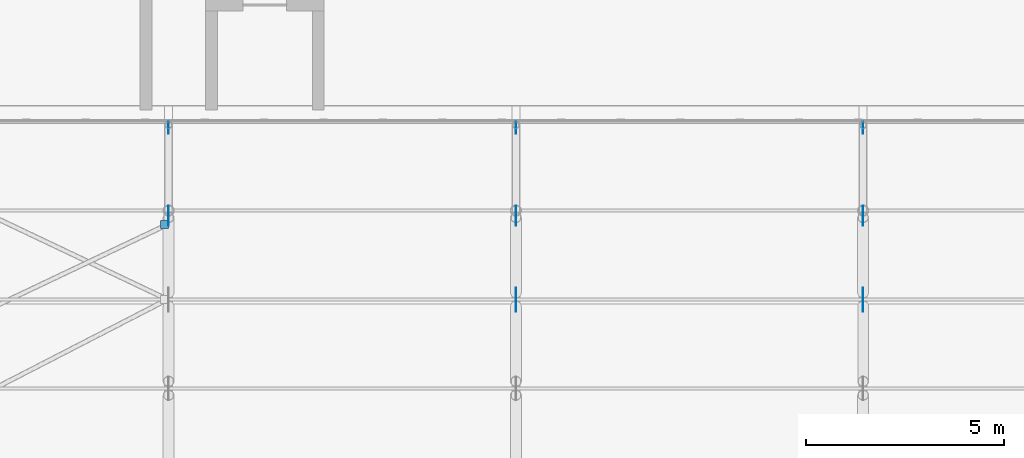
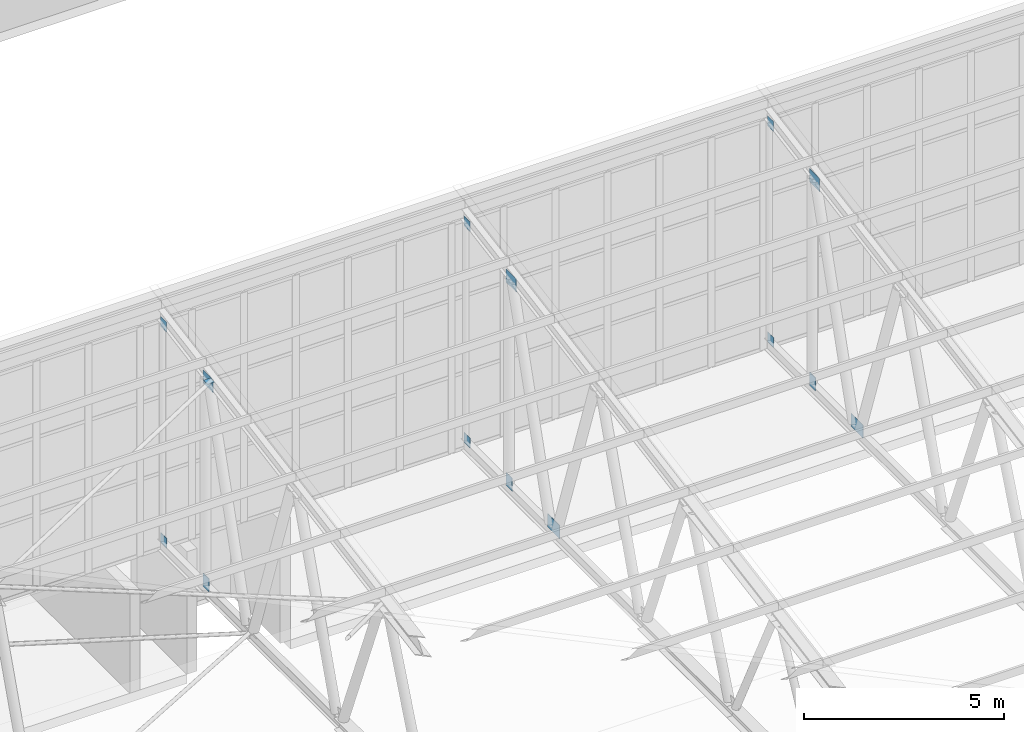
# One storey, part 152 of 185: 15 discrete accessories.
"""IFC4 building model written with IfcOpenShell, lengths in metres."""

from ifc_helpers import new_model, si_unit, direction, frame, origin, origin_2d, place, context, subcontext, project, spatial, rectangle, extrude, material, layer, layer_set, type_object, element, save


model = new_model("IFC4")

# Units and contexts
model_context = context("Model", 3, precision=1e-05, world=origin(), true_north=direction((0.0, 1.0)))
body_context = subcontext(model_context, "Body", "Model", "MODEL_VIEW")
ifc_project = project(units=[si_unit("LENGTHUNIT", "METRE"), si_unit("AREAUNIT", "SQUARE_METRE"), si_unit("VOLUMEUNIT", "CUBIC_METRE"), si_unit("PLANEANGLEUNIT", "RADIAN"), si_unit("MASSUNIT", "GRAM", prefix="KILO")], contexts=[model_context])

# Site, building, storey
site_placement = place(None, origin())
site = spatial("IfcSite", under=ifc_project, at=site_placement, CompositionType="ELEMENT")
building_placement = place(site_placement, origin())
building = spatial("IfcBuilding", under=site, at=building_placement, Name="Opaline Strait Convention Centre", CompositionType="ELEMENT")
storey_placement = place(building_placement, frame((0.0, 0.0, 6.0)))
storey = spatial("IfcBuildingStorey", under=building, at=storey_placement, Name="L01", CompositionType="ELEMENT", Elevation=6.0)

# Discrete accessories
ifc_material = material(Name="Steel Q355B", Category="steel")
ifc_layer_1 = layer(ifc_material, 0.014892578125)
ifc_layer_set_1 = layer_set([ifc_layer_1], Name="Steel Q355B")
discrete_accessory_type_1 = type_object("IfcDiscreteAccessoryType", Name="Brace gusset plate 200 x 200 x 15", PredefinedType="USERDEFINED", material=ifc_layer_set_1)
discrete_accessory_placement = place(storey_placement, frame((297.468017578125, 60.30615234375, 11.0654296875), z_axis=(0.0, 0.0, 1.0), x_axis=(1.0, 0.0, 0.0)))
element("IfcDiscreteAccessory", 1, at=discrete_accessory_placement, inside=storey, type_object=discrete_accessory_type_1, Name="BNP8 roof brace gusset plate end bay 1 top plane", ObjectType="NODE HUB", PredefinedType="USERDEFINED", context=body_context, shape_type="SweptSolid", body=[
    extrude(rectangle(XDim=0.199951171875, YDim=0.199951171875, at=origin_2d()), origin(), (0.0, 0.0, 1.0), 0.014892578125),
])
ifc_layer_2 = layer(ifc_material, 0.014892578125)
ifc_layer_set_2 = layer_set([ifc_layer_2], Name="Steel Q355B")
discrete_accessory_type_2 = type_object("IfcDiscreteAccessoryType", Name="Truss node plate 300 x 300 x 15", PredefinedType="USERDEFINED", material=ifc_layer_set_2)
for number, where, z_axis, x_axis, name in (
    (2, (297.5712890625, 62.7451171875, 4.544921875), (0.0, 0.0, 1.0), (1.0, 0.0, 0.0), "BNP5 truss node plate line 2 bottom node"),
    (3, (297.5712890625, 62.7451171875, 11.1552734375), (0.0, 0.0, 1.0), (1.0, 0.0, 0.0), "BNP5 truss node plate line 2 top node"),
    (4, (306.343017578125, 62.7451171875, 4.544921875), (0.0, 0.0, 1.0), (1.0, 0.0, 0.0), "BNP5 truss node plate line 3 bottom node"),
    (5, (306.343017578125, 62.7451171875, 11.1552734375), (0.0, 0.0, 1.0), (1.0, 0.0, 0.0), "BNP5 truss node plate line 3 top node"),
    (6, (315.1142578125, 62.7451171875, 4.544921875), (0.0, 0.0, 1.0), (1.0, 0.0, 0.0), "BNP5 truss node plate line 4 bottom node"),
    (7, (315.1142578125, 62.7451171875, 11.1552734375), (0.0, 0.0, 1.0), (1.0, 0.0, 0.0), "BNP5 truss node plate line 4 top node"),
):
    element("IfcDiscreteAccessory", number, at=place(storey_placement, frame(where, z_axis=z_axis, x_axis=x_axis)), inside=storey, type_object=discrete_accessory_type_2, Name=name, ObjectType="NODE HUB", PredefinedType="USERDEFINED", context=body_context, shape_type="SweptSolid", body=[
        extrude(rectangle(XDim=0.014892578125, YDim=0.300048828125, at=origin_2d()), origin(), (0.0, 0.0, 1.0), 0.300048828125),
    ])
ifc_layer_3 = layer(ifc_material, 0.014892578125)
ifc_layer_set_3 = layer_set([ifc_layer_3], Name="Steel Q355B")
discrete_accessory_type_3 = type_object("IfcDiscreteAccessoryType", Name="Truss node plate 300 x 400 x 15", PredefinedType="USERDEFINED", material=ifc_layer_set_3)
for number, where, z_axis, x_axis, name in (
    (8, (297.5712890625, 60.626220703125, 4.4951171875), (0.0, 0.0, 1.0), (1.0, 0.0, 0.0), "BNP4 truss node plate line 2 bottom node"),
    (9, (306.343017578125, 60.626220703125, 4.4951171875), (0.0, 0.0, 1.0), (1.0, 0.0, 0.0), "BNP4 truss node plate line 3 bottom node"),
    (10, (315.1142578125, 60.626220703125, 4.4951171875), (0.0, 0.0, 1.0), (1.0, 0.0, 0.0), "BNP4 truss node plate line 4 bottom node"),
):
    element("IfcDiscreteAccessory", number, at=place(storey_placement, frame(where, z_axis=z_axis, x_axis=x_axis)), inside=storey, type_object=discrete_accessory_type_3, Name=name, ObjectType="NODE HUB", PredefinedType="USERDEFINED", context=body_context, shape_type="SweptSolid", body=[
        extrude(rectangle(XDim=0.014892578125, YDim=0.300048828125, at=origin_2d()), origin(), (0.0, 0.0, 1.0), 0.39990234375),
    ])
ifc_layer_4 = layer(ifc_material, 0.014892578125)
ifc_layer_set_4 = layer_set([ifc_layer_4], Name="Steel Q355B")
discrete_accessory_type_4 = type_object("IfcDiscreteAccessoryType", Name="Truss node plate 500 x 400 x 15", PredefinedType="USERDEFINED", material=ifc_layer_set_4)
for number, where, z_axis, x_axis, name in (
    (11, (297.5712890625, 60.5263671875, 10.7138671875), (0.0, 0.0, 1.0), (1.0, 0.0, 0.0), "BNP7 truss node plate line 2 top node"),
    (12, (306.343017578125, 60.5263671875, 10.7138671875), (0.0, 0.0, 1.0), (1.0, 0.0, 0.0), "BNP7 truss node plate line 3 top node"),
    (13, (315.1142578125, 60.5263671875, 10.7138671875), (0.0, 0.0, 1.0), (1.0, 0.0, 0.0), "BNP7 truss node plate line 4 top node"),
):
    element("IfcDiscreteAccessory", number, at=place(storey_placement, frame(where, z_axis=z_axis, x_axis=x_axis)), inside=storey, type_object=discrete_accessory_type_4, Name=name, ObjectType="NODE HUB", PredefinedType="USERDEFINED", context=body_context, shape_type="SweptSolid", body=[
        extrude(rectangle(XDim=0.014892578125, YDim=0.5, at=origin_2d()), origin(), (0.0, 0.0, 1.0), 0.39990234375),
    ])
ifc_layer_5 = layer(ifc_material, 0.014892578125)
ifc_layer_set_5 = layer_set([ifc_layer_5], Name="Steel Q355B")
discrete_accessory_type_5 = type_object("IfcDiscreteAccessoryType", Name="Truss node plate 600 x 400 x 15", PredefinedType="USERDEFINED", material=ifc_layer_set_5)
for number, where, z_axis, x_axis, name in (
    (14, (306.343017578125, 58.4052734375, 4.4951171875), (0.0, 0.0, 1.0), (1.0, 0.0, 0.0), "BNP3 truss node plate line 3 bottom node"),
    (15, (315.1142578125, 58.4052734375, 4.4951171875), (0.0, 0.0, 1.0), (1.0, 0.0, 0.0), "BNP3 truss node plate line 4 bottom node"),
):
    element("IfcDiscreteAccessory", number, at=place(storey_placement, frame(where, z_axis=z_axis, x_axis=x_axis)), inside=storey, type_object=discrete_accessory_type_5, Name=name, ObjectType="NODE HUB", PredefinedType="USERDEFINED", context=body_context, shape_type="SweptSolid", body=[
        extrude(rectangle(XDim=0.014892578125, YDim=0.60009765625, at=origin_2d()), origin(), (0.0, 0.0, 1.0), 0.39990234375),
    ])

save(model, "model.ifc")
